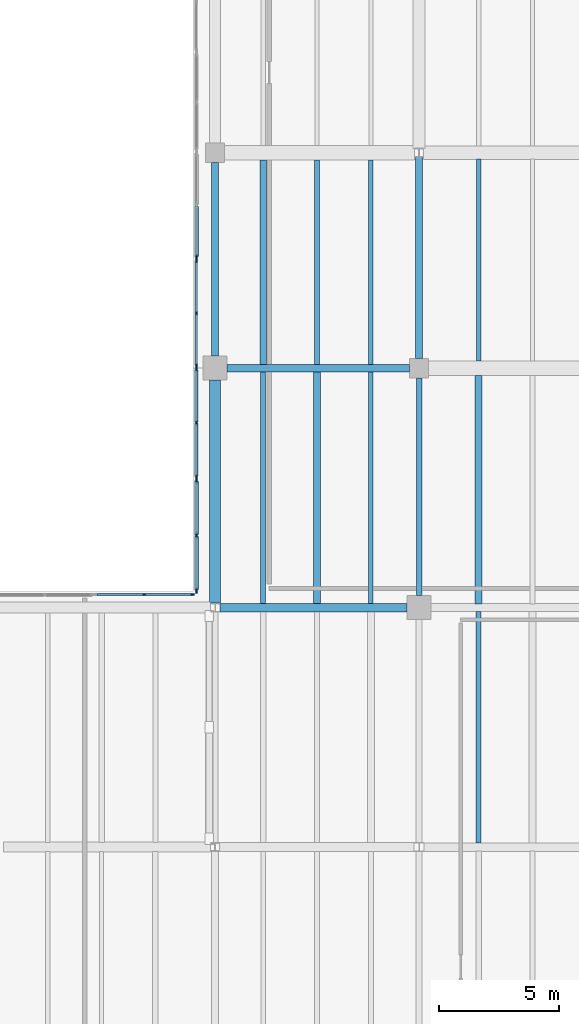
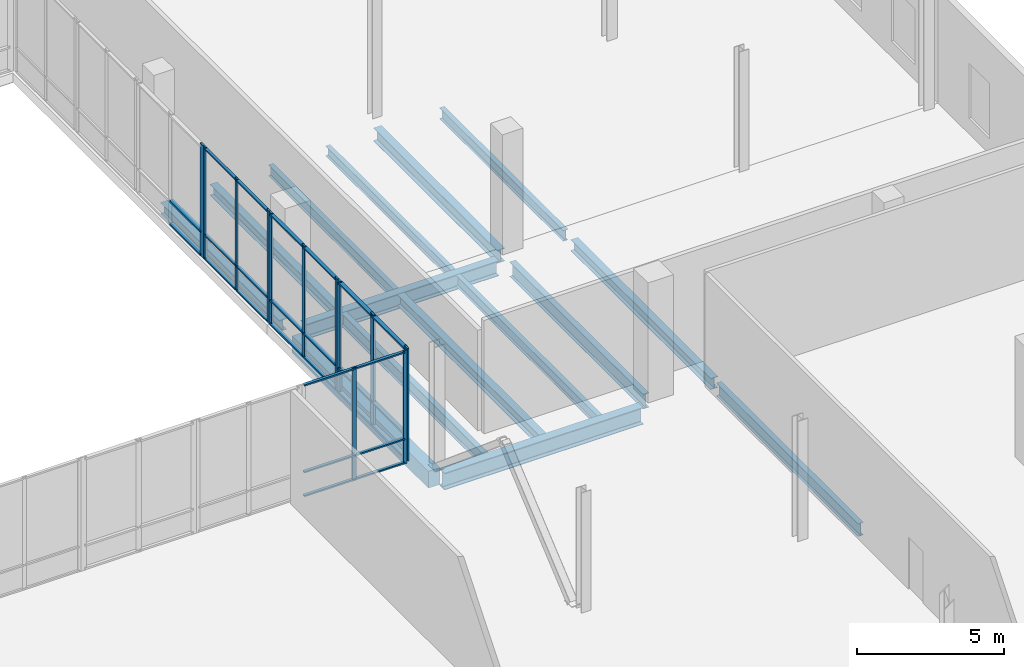
# One storey, part 54 of 88: 38 members, 15 beams, 5 elements without a shape of their own.
"""IFC4 building model written with IfcOpenShell, lengths in metres."""

from ifc_helpers import new_model, si_unit, direction, frame, origin, origin_2d, place, context, subcontext, project, spatial, rectangle, i_section, extrude, material, material_profile, profile_set, type_object, element, aggregate, save


model = new_model("IFC4")

# Units and contexts
model_context = context("Model", 3, precision=1e-05, world=origin(), true_north=direction((0.0, 1.0)))
body_context = subcontext(model_context, "Body", "Model", "MODEL_VIEW")
ifc_project = project(units=[si_unit("LENGTHUNIT", "METRE"), si_unit("AREAUNIT", "SQUARE_METRE"), si_unit("VOLUMEUNIT", "CUBIC_METRE"), si_unit("PLANEANGLEUNIT", "RADIAN"), si_unit("MASSUNIT", "GRAM", prefix="KILO")], contexts=[model_context])

# Site, building, storey
site_placement = place(None, origin())
site = spatial("IfcSite", under=ifc_project, at=site_placement, CompositionType="ELEMENT")
building_placement = place(site_placement, origin())
building = spatial("IfcBuilding", under=site, at=building_placement, Name="Trimount Lyric Opera House", CompositionType="ELEMENT")
storey_placement = place(building_placement, origin())
storey = spatial("IfcBuildingStorey", under=building, at=storey_placement, Name="L00", CompositionType="ELEMENT", Elevation=0.0)

# Beams
ifc_material_1 = material(Name="Steel ASTM A992 Grade 50", Category="steel")
ifc_material_profile_1 = material_profile(ifc_material_1, i_section(OverallWidth=0.35595703125, OverallDepth=0.700927734375, WebThickness=0.016845703125, FlangeThickness=0.02734375, FilletRadius=0.01806640625, at=origin_2d()), Name="W27X161")
ifc_profile_set_1 = profile_set([ifc_material_profile_1], Name="Steel ASTM A992 Grade 50")
beam_type_1 = type_object("IfcBeamType", Name="B-08", PredefinedType="BEAM", material=ifc_profile_set_1)
beam_1_placement = place(storey_placement, frame((148.439453125, 74.0, -0.73046875), z_axis=(1.0, 0.0, 0.0), x_axis=(0.0, 1.0, 0.0)))
element("IfcBeam", 1, at=beam_1_placement, inside=storey, type_object=beam_type_1, Name="L00 girder X-0157", PredefinedType="BEAM", context=body_context, shape_type="SweptSolid", body=[
    extrude(i_section(OverallWidth=0.35595703125, OverallDepth=0.700927734375, WebThickness=0.016845703125, FlangeThickness=0.02734375, FilletRadius=0.01806640625, at=origin_2d()), origin(), (0.0, 0.0, 1.0), 7.820556640625),
])
ifc_material_2 = material(Name="Steel ASTM A992 Grade 50", Category="steel")
ifc_material_profile_2 = material_profile(ifc_material_2, i_section(OverallWidth=0.327880859375, OverallDepth=0.626953125, WebThickness=0.0166015625, FlangeThickness=0.027587890625, FilletRadius=0.01611328125, at=origin_2d()), Name="W24X146")
ifc_profile_set_2 = profile_set([ifc_material_profile_2], Name="Steel ASTM A992 Grade 50")
beam_type_2 = type_object("IfcBeamType", Name="B-10", PredefinedType="BEAM", material=ifc_profile_set_2)
beam_2_placement = place(storey_placement, frame((148.739990234375, 84.0, -0.693603515625), z_axis=(1.0, 0.0, 0.0), x_axis=(0.0, 1.0, 0.0)))
element("IfcBeam", 2, at=beam_2_placement, inside=storey, type_object=beam_type_2, Name="L00 girder X-0170", PredefinedType="BEAM", context=body_context, shape_type="SweptSolid", body=[
    extrude(i_section(OverallWidth=0.327880859375, OverallDepth=0.626953125, WebThickness=0.0166015625, FlangeThickness=0.027587890625, FilletRadius=0.01611328125, at=origin_2d()), origin(), (0.0, 0.0, 1.0), 7.6201171875),
])
ifc_material_3 = material(Name="Steel ASTM A992 Grade 50", Category="steel")
ifc_material_profile_3 = material_profile(ifc_material_3, i_section(OverallWidth=0.22998046875, OverallDepth=0.616943359375, WebThickness=0.01318359375, FlangeThickness=0.022216796875, FilletRadius=0.013916015625, at=origin_2d()), Name="W24X94")
ifc_profile_set_3 = profile_set([ifc_material_profile_3], Name="Steel ASTM A992 Grade 50")
beam_type_3 = type_object("IfcBeamType", Name="B-11", PredefinedType="BEAM", material=ifc_profile_set_3)
beam_3_placement = place(storey_placement, frame((156.760009765625, 74.5, -0.6884765625), z_axis=(0.0, 1.0, 0.0), x_axis=(-1.0, 0.0, 0.0)))
element("IfcBeam", 3, at=beam_3_placement, inside=storey, type_object=beam_type_3, Name="L00 girder Y-0434", PredefinedType="BEAM", context=body_context, shape_type="SweptSolid", body=[
    extrude(i_section(OverallWidth=0.22998046875, OverallDepth=0.616943359375, WebThickness=0.01318359375, FlangeThickness=0.022216796875, FilletRadius=0.013916015625, at=origin_2d()), origin(), (0.0, 0.0, 1.0), 9.10009765625),
])
ifc_material_4 = material(Name="Steel ASTM A992 Grade 50", Category="steel")
ifc_material_profile_4 = material_profile(ifc_material_4, i_section(OverallWidth=0.31201171875, OverallDepth=0.5458984375, WebThickness=0.013916015625, FlangeThickness=0.022216796875, FilletRadius=0.014892578125, at=origin_2d()), Name="W21X111")
ifc_profile_set_4 = profile_set([ifc_material_profile_4], Name="Steel ASTM A992 Grade 50")
beam_type_4 = type_object("IfcBeamType", Name="B-12", PredefinedType="BEAM", material=ifc_profile_set_4)
beam_4_placement = place(storey_placement, frame((156.760009765625, 84.39990234375, -0.653076171875), z_axis=(0.0, 1.0, 0.0), x_axis=(-1.0, 0.0, 0.0)))
element("IfcBeam", 4, at=beam_4_placement, inside=storey, type_object=beam_type_4, Name="L00 girder Y-0435", PredefinedType="BEAM", context=body_context, shape_type="SweptSolid", body=[
    extrude(i_section(OverallWidth=0.31201171875, OverallDepth=0.5458984375, WebThickness=0.013916015625, FlangeThickness=0.022216796875, FilletRadius=0.014892578125, at=origin_2d()), origin(), (0.0, 0.0, 1.0), 8.416015625),
])
ifc_material_5 = material(Name="Steel ASTM A992 Grade 50", Category="steel")
ifc_material_profile_5 = material_profile(ifc_material_5, i_section(OverallWidth=0.2099609375, OverallDepth=0.532958984375, WebThickness=0.01025390625, FlangeThickness=0.015625, FilletRadius=0.012939453125, at=origin_2d()), Name="W21X62")
ifc_profile_set_5 = profile_set([ifc_material_profile_5], Name="Steel ASTM A992 Grade 50")
beam_type_5 = type_object("IfcBeamType", Name="J-02", PredefinedType="BEAM", material=ifc_profile_set_5)
for number, where, z_axis, x_axis, name in (
    (5, (150.25, 74.174072265625, -0.646484375), (0.0, 1.0, 0.0), (-1.0, 0.0, 0.0), "L00 composite floor joist 0479"),
    (6, (159.25, 64.174072265625, -0.646484375), (0.0, 1.0, 0.0), (-1.0, 0.0, 0.0), "L00 composite floor joist 0515"),
):
    element("IfcBeam", number, at=place(storey_placement, frame(where, z_axis=z_axis, x_axis=x_axis)), inside=storey, type_object=beam_type_5, Name=name, PredefinedType="BEAM", context=body_context, shape_type="SweptSolid", body=[
        extrude(i_section(OverallWidth=0.2099609375, OverallDepth=0.532958984375, WebThickness=0.01025390625, FlangeThickness=0.015625, FilletRadius=0.012939453125, at=origin_2d()), origin(), (0.0, 0.0, 1.0), 9.666015625),
    ])
ifc_material_6 = material(Name="Steel ASTM A992 Grade 50", Category="steel")
ifc_material_profile_6 = material_profile(ifc_material_6, i_section(OverallWidth=0.281982421875, OverallDepth=0.467041015625, WebThickness=0.01220703125, FlangeThickness=0.01953125, FilletRadius=0.012939453125, at=origin_2d()), Name="W18X86")
ifc_profile_set_6 = profile_set([ifc_material_profile_6], Name="Steel ASTM A992 Grade 50")
beam_type_6 = type_object("IfcBeamType", Name="J-03", PredefinedType="BEAM", material=ifc_profile_set_6)
beam_5_placement = place(storey_placement, frame((152.5, 74.174072265625, -0.613525390625), z_axis=(0.0, 1.0, 0.0), x_axis=(-1.0, 0.0, 0.0)))
element("IfcBeam", 7, at=beam_5_placement, inside=storey, type_object=beam_type_6, Name="L00 composite floor joist 0480", PredefinedType="BEAM", context=body_context, shape_type="SweptSolid", body=[
    extrude(i_section(OverallWidth=0.281982421875, OverallDepth=0.467041015625, WebThickness=0.01220703125, FlangeThickness=0.01953125, FilletRadius=0.012939453125, at=origin_2d()), origin(), (0.0, 0.0, 1.0), 9.666015625),
])
beam_6_placement = place(storey_placement, frame((150.25, 84.159912109375, -0.613525390625), z_axis=(0.0, 1.0, 0.0), x_axis=(-1.0, 0.0, 0.0)))
element("IfcBeam", 8, at=beam_6_placement, inside=storey, type_object=beam_type_6, Name="L00 composite floor joist 0482", PredefinedType="BEAM", context=body_context, shape_type="SweptSolid", body=[
    extrude(i_section(OverallWidth=0.281982421875, OverallDepth=0.467041015625, WebThickness=0.01220703125, FlangeThickness=0.01953125, FilletRadius=0.012939453125, at=origin_2d()), origin(), (0.0, 0.0, 1.0), 8.544189453125),
])
beam_7_placement = place(storey_placement, frame((159.25, 74.159912109375, -0.613525390625), z_axis=(0.0, 1.0, 0.0), x_axis=(-1.0, 0.0, 0.0)))
element("IfcBeam", 9, at=beam_7_placement, inside=storey, type_object=beam_type_6, Name="L00 composite floor joist 0518", PredefinedType="BEAM", context=body_context, shape_type="SweptSolid", body=[
    extrude(i_section(OverallWidth=0.281982421875, OverallDepth=0.467041015625, WebThickness=0.01220703125, FlangeThickness=0.01953125, FilletRadius=0.012939453125, at=origin_2d()), origin(), (0.0, 0.0, 1.0), 9.544189453125),
])
ifc_material_7 = material(Name="Steel ASTM A992 Grade 50", Category="steel")
ifc_material_profile_7 = material_profile(ifc_material_7, i_section(OverallWidth=0.19091796875, OverallDepth=0.45703125, WebThickness=0.009033203125, FlangeThickness=0.014404296875, FilletRadius=0.010986328125, at=origin_2d()), Name="W18X50")
ifc_profile_set_7 = profile_set([ifc_material_profile_7], Name="Steel ASTM A992 Grade 50")
beam_type_7 = type_object("IfcBeamType", Name="J-04", PredefinedType="BEAM", material=ifc_profile_set_7)
beam_8_placement = place(storey_placement, frame((154.75, 74.174072265625, -0.6083984375), z_axis=(0.0, 1.0, 0.0), x_axis=(-1.0, 0.0, 0.0)))
element("IfcBeam", 10, at=beam_8_placement, inside=storey, type_object=beam_type_7, Name="L00 composite floor joist 0481", PredefinedType="BEAM", context=body_context, shape_type="SweptSolid", body=[
    extrude(i_section(OverallWidth=0.19091796875, OverallDepth=0.45703125, WebThickness=0.009033203125, FlangeThickness=0.014404296875, FilletRadius=0.010986328125, at=origin_2d()), origin(), (0.0, 0.0, 1.0), 9.666015625),
])
beam_9_placement = place(storey_placement, frame((152.5, 84.159912109375, -0.6083984375), z_axis=(0.0, 1.0, 0.0), x_axis=(-1.0, 0.0, 0.0)))
element("IfcBeam", 11, at=beam_9_placement, inside=storey, type_object=beam_type_7, Name="L00 composite floor joist 0483", PredefinedType="BEAM", context=body_context, shape_type="SweptSolid", body=[
    extrude(i_section(OverallWidth=0.19091796875, OverallDepth=0.45703125, WebThickness=0.009033203125, FlangeThickness=0.014404296875, FilletRadius=0.010986328125, at=origin_2d()), origin(), (0.0, 0.0, 1.0), 8.544189453125),
])
beam_10_placement = place(storey_placement, frame((159.25, 84.2958984375, -0.6083984375), z_axis=(0.0, 1.0, 0.0), x_axis=(-1.0, 0.0, 0.0)))
element("IfcBeam", 12, at=beam_10_placement, inside=storey, type_object=beam_type_7, Name="L00 composite floor joist 0521", PredefinedType="BEAM", context=body_context, shape_type="SweptSolid", body=[
    extrude(i_section(OverallWidth=0.19091796875, OverallDepth=0.45703125, WebThickness=0.009033203125, FlangeThickness=0.014404296875, FilletRadius=0.010986328125, at=origin_2d()), origin(), (0.0, 0.0, 1.0), 8.43310546875),
])
ifc_material_8 = material(Name="Steel ASTM A992 Grade 50", Category="steel")
ifc_material_profile_8 = material_profile(ifc_material_8, i_section(OverallWidth=0.180908203125, OverallDepth=0.4169921875, WebThickness=0.010986328125, FlangeThickness=0.018310546875, FilletRadius=0.010986328125, at=origin_2d()), Name="W16X57")
ifc_profile_set_8 = profile_set([ifc_material_profile_8], Name="Steel ASTM A992 Grade 50")
beam_type_8 = type_object("IfcBeamType", Name="J-05", PredefinedType="BEAM", material=ifc_profile_set_8)
beam_11_placement = place(storey_placement, frame((154.75, 84.159912109375, -0.58837890625), z_axis=(0.0, 1.0, 0.0), x_axis=(-1.0, 0.0, 0.0)))
element("IfcBeam", 13, at=beam_11_placement, inside=storey, type_object=beam_type_8, Name="L00 composite floor joist 0484", PredefinedType="BEAM", context=body_context, shape_type="SweptSolid", body=[
    extrude(i_section(OverallWidth=0.180908203125, OverallDepth=0.4169921875, WebThickness=0.010986328125, FlangeThickness=0.018310546875, FilletRadius=0.010986328125, at=origin_2d()), origin(), (0.0, 0.0, 1.0), 8.544189453125),
])

# Curtain wall, members
ifc_material_9 = material(Name="Thermally Broken Aluminium and Low-E Glass", Category="aluminium")
curtain_wall_type = type_object("IfcCurtainWallType", Name="CW-03", PredefinedType="NOTDEFINED", material=ifc_material_9)
curtain_wall_1_placement = place(storey_placement, origin())
curtain_wall_1 = element("IfcCurtainWall", 14, at=curtain_wall_1_placement, inside=storey, type_object=curtain_wall_type, Name="L00 curtain wall 042", PredefinedType="NOTDEFINED")
ifc_material_10 = material(Name="Anodised Aluminium 6063-T6", Category="aluminium")
ifc_material_profile_9 = material_profile(ifc_material_10, rectangle(XDim=0.070068359375, YDim=0.219970703125, at=origin_2d()), Name="ALU-MULL-70X220")
ifc_profile_set_9 = profile_set([ifc_material_profile_9], Name="Anodised Aluminium 6063-T6")
member_type_1 = type_object("IfcMemberType", Name="ML-01", PredefinedType="MULLION", material=ifc_profile_set_9)
member_1_placement = place(storey_placement, frame((147.4599609375, 74.715087890625, 0.0), z_axis=(0.0, 0.0, 1.0), x_axis=(-1.0, 0.0, 0.0)))
member_1 = element("IfcMember", 15, at=member_1_placement, type_object=member_type_1, Name="CW-03 mullion 1", PredefinedType="MULLION", context=body_context, shape_type="SweptSolid", body=[
    extrude(rectangle(XDim=0.070068359375, YDim=0.219970703125, at=origin_2d()), origin(), (0.0, 0.0, 1.0), 4.68994140625),
])
member_2_placement = place(storey_placement, frame((147.4599609375, 77.010009765625, 0.0), z_axis=(0.0, 0.0, 1.0), x_axis=(-1.0, 0.0, 0.0)))
member_2 = element("IfcMember", 16, at=member_2_placement, type_object=member_type_1, Name="CW-03 mullion 2", PredefinedType="MULLION", context=body_context, shape_type="SweptSolid", body=[
    extrude(rectangle(XDim=0.070068359375, YDim=0.219970703125, at=origin_2d()), origin(), (0.0, 0.0, 1.0), 4.68994140625),
])
member_3_placement = place(storey_placement, frame((147.4599609375, 79.304931640625, 0.0), z_axis=(0.0, 0.0, 1.0), x_axis=(-1.0, 0.0, 0.0)))
member_3 = element("IfcMember", 17, at=member_3_placement, type_object=member_type_1, Name="CW-03 mullion 3", PredefinedType="MULLION", context=body_context, shape_type="SweptSolid", body=[
    extrude(rectangle(XDim=0.070068359375, YDim=0.219970703125, at=origin_2d()), origin(), (0.0, 0.0, 1.0), 4.68994140625),
])

# Curtain wall, member
curtain_wall_2_placement = place(storey_placement, origin())
curtain_wall_2 = element("IfcCurtainWall", 18, at=curtain_wall_2_placement, inside=storey, type_object=curtain_wall_type, Name="L00 curtain wall 045", PredefinedType="NOTDEFINED")
member_4_placement = place(storey_placement, frame((147.4599609375, 88.625, 0.0), z_axis=(0.0, 0.0, 1.0), x_axis=(-1.0, 0.0, 0.0)))
member_4 = element("IfcMember", 19, at=member_4_placement, type_object=member_type_1, Name="CW-03 mullion 1", PredefinedType="MULLION", context=body_context, shape_type="SweptSolid", body=[
    extrude(rectangle(XDim=0.070068359375, YDim=0.219970703125, at=origin_2d()), origin(), (0.0, 0.0, 1.0), 4.68994140625),
])

# Curtain wall, members
curtain_wall_3_placement = place(storey_placement, origin())
curtain_wall_3 = element("IfcCurtainWall", 20, at=curtain_wall_3_placement, inside=storey, type_object=curtain_wall_type, Name="L00 curtain wall 043", PredefinedType="NOTDEFINED")
ifc_material_11 = material(Name="Anodised Aluminium 6063-T6", Category="aluminium")
ifc_material_profile_10 = material_profile(ifc_material_11, rectangle(XDim=0.06494140625, YDim=0.179931640625, at=origin_2d()), Name="ALU-MULL-65X180")
ifc_profile_set_10 = profile_set([ifc_material_profile_10], Name="Anodised Aluminium 6063-T6")
member_type_2 = type_object("IfcMemberType", Name="ML-02", PredefinedType="MULLION", material=ifc_profile_set_10)
member_5_placement = place(storey_placement, frame((147.4599609375, 79.46240234375, 0.0), z_axis=(0.0, 0.0, 1.0), x_axis=(-1.0, 0.0, 0.0)))
member_5 = element("IfcMember", 21, at=member_5_placement, type_object=member_type_2, Name="CW-03 mullion 1", PredefinedType="MULLION", context=body_context, shape_type="SweptSolid", body=[
    extrude(rectangle(XDim=0.06494140625, YDim=0.179931640625, at=origin_2d()), origin(), (0.0, 0.0, 1.0), 4.68994140625),
])
member_6_placement = place(storey_placement, frame((147.4599609375, 81.715087890625, 0.0), z_axis=(0.0, 0.0, 1.0), x_axis=(-1.0, 0.0, 0.0)))
member_6 = element("IfcMember", 22, at=member_6_placement, type_object=member_type_2, Name="CW-03 mullion 2", PredefinedType="MULLION", context=body_context, shape_type="SweptSolid", body=[
    extrude(rectangle(XDim=0.06494140625, YDim=0.179931640625, at=origin_2d()), origin(), (0.0, 0.0, 1.0), 4.68994140625),
])
member_7_placement = place(storey_placement, frame((147.4599609375, 83.967529296875, 0.0), z_axis=(0.0, 0.0, 1.0), x_axis=(-1.0, 0.0, 0.0)))
member_7 = element("IfcMember", 23, at=member_7_placement, type_object=member_type_2, Name="CW-03 mullion 3", PredefinedType="MULLION", context=body_context, shape_type="SweptSolid", body=[
    extrude(rectangle(XDim=0.06494140625, YDim=0.179931640625, at=origin_2d()), origin(), (0.0, 0.0, 1.0), 4.68994140625),
])

curtain_wall_4_placement = place(storey_placement, origin())
curtain_wall_4 = element("IfcCurtainWall", 24, at=curtain_wall_4_placement, inside=storey, type_object=curtain_wall_type, Name="L00 curtain wall 041", PredefinedType="NOTDEFINED")
ifc_material_12 = material(Name="Anodised Aluminium 6063-T6", Category="aluminium")
ifc_material_profile_11 = material_profile(ifc_material_12, rectangle(XDim=0.06005859375, YDim=0.14990234375, at=origin_2d()), Name="ALU-MULL-60X150")
ifc_profile_set_11 = profile_set([ifc_material_profile_11], Name="Anodised Aluminium 6063-T6")
member_type_3 = type_object("IfcMemberType", Name="ML-03", PredefinedType="MULLION", material=ifc_profile_set_11)
member_8_placement = place(storey_placement, frame((145.284912109375, 74.5400390625, 0.0), z_axis=(0.0, 0.0, 1.0), x_axis=(0.0, 1.0, 0.0)))
member_8 = element("IfcMember", 25, at=member_8_placement, type_object=member_type_3, Name="CW-03 mullion 2", PredefinedType="MULLION", context=body_context, shape_type="SweptSolid", body=[
    extrude(rectangle(XDim=0.06005859375, YDim=0.14990234375, at=origin_2d()), origin(), (0.0, 0.0, 1.0), 4.719970703125),
])
member_9_placement = place(storey_placement, frame((147.2900390625, 74.5400390625, 0.0), z_axis=(0.0, 0.0, 1.0), x_axis=(0.0, 1.0, 0.0)))
member_9 = element("IfcMember", 26, at=member_9_placement, type_object=member_type_3, Name="CW-03 mullion 3", PredefinedType="MULLION", context=body_context, shape_type="SweptSolid", body=[
    extrude(rectangle(XDim=0.06005859375, YDim=0.14990234375, at=origin_2d()), origin(), (0.0, 0.0, 1.0), 4.719970703125),
])

curtain_wall_5_placement = place(storey_placement, origin())
curtain_wall_5 = element("IfcCurtainWall", 27, at=curtain_wall_5_placement, inside=storey, type_object=curtain_wall_type, Name="L00 curtain wall 044", PredefinedType="NOTDEFINED")
member_10_placement = place(storey_placement, frame((147.4599609375, 84.1201171875, 0.0), z_axis=(0.0, 0.0, 1.0), x_axis=(-1.0, 0.0, 0.0)))
member_10 = element("IfcMember", 28, at=member_10_placement, type_object=member_type_3, Name="CW-03 mullion 1", PredefinedType="MULLION", context=body_context, shape_type="SweptSolid", body=[
    extrude(rectangle(XDim=0.06005859375, YDim=0.14990234375, at=origin_2d()), origin(), (0.0, 0.0, 1.0), 4.68994140625),
])
member_11_placement = place(storey_placement, frame((147.4599609375, 86.294921875, 0.0), z_axis=(0.0, 0.0, 1.0), x_axis=(-1.0, 0.0, 0.0)))
member_11 = element("IfcMember", 29, at=member_11_placement, type_object=member_type_3, Name="CW-03 mullion 2", PredefinedType="MULLION", context=body_context, shape_type="SweptSolid", body=[
    extrude(rectangle(XDim=0.06005859375, YDim=0.14990234375, at=origin_2d()), origin(), (0.0, 0.0, 1.0), 4.68994140625),
])
member_12_placement = place(storey_placement, frame((147.4599609375, 88.469970703125, 0.0), z_axis=(0.0, 0.0, 1.0), x_axis=(-1.0, 0.0, 0.0)))
member_12 = element("IfcMember", 30, at=member_12_placement, type_object=member_type_3, Name="CW-03 mullion 3", PredefinedType="MULLION", context=body_context, shape_type="SweptSolid", body=[
    extrude(rectangle(XDim=0.06005859375, YDim=0.14990234375, at=origin_2d()), origin(), (0.0, 0.0, 1.0), 4.68994140625),
])

# Beams
ifc_material_13 = material(Name="Steel ASTM A992 Grade 50", Category="steel")
ifc_material_profile_12 = material_profile(ifc_material_13, i_section(OverallWidth=0.281982421875, OverallDepth=0.467041015625, WebThickness=0.01220703125, FlangeThickness=0.01953125, FilletRadius=0.012939453125, at=origin_2d()), Name="W18X86")
ifc_profile_set_12 = profile_set([ifc_material_profile_12], Name="Steel ASTM A992 Grade 50")
beam_type_9 = type_object("IfcBeamType", Name="SP-01", PredefinedType="SPANDREL", material=ifc_profile_set_12)
beam_12_placement = place(storey_placement, frame((148.239990234375, 84.5, -0.613525390625), z_axis=(0.0, 1.0, 0.0), x_axis=(-1.0, 0.0, 0.0)))
element("IfcBeam", 31, at=beam_12_placement, inside=storey, type_object=beam_type_9, Name="L00 girder Y-0423", PredefinedType="SPANDREL", context=body_context, shape_type="SweptSolid", body=[
    extrude(i_section(OverallWidth=0.281982421875, OverallDepth=0.467041015625, WebThickness=0.01220703125, FlangeThickness=0.01953125, FilletRadius=0.012939453125, at=origin_2d()), origin(), (0.0, 0.0, 1.0), 8.10009765625),
])
ifc_material_14 = material(Name="Concrete C40/50", Category="concrete")
ifc_material_profile_13 = material_profile(ifc_material_14, rectangle(XDim=0.449951171875, YDim=0.699951171875, at=origin_2d()), Name="RC450X700")
ifc_profile_set_13 = profile_set([ifc_material_profile_13], Name="Concrete C40/50")
beam_type_10 = type_object("IfcBeamType", Name="SP-02", PredefinedType="SPANDREL", material=ifc_profile_set_13)
beam_13_placement = place(storey_placement, frame((148.239990234375, 74.193115234375, -0.72998046875), z_axis=(0.0, 1.0, 0.0), x_axis=(-1.0, 0.0, 0.0)))
element("IfcBeam", 32, at=beam_13_placement, inside=storey, type_object=beam_type_10, Name="L00 girder Y-0422", PredefinedType="SPANDREL", context=body_context, shape_type="SweptSolid", body=[
    extrude(rectangle(XDim=0.449951171875, YDim=0.699951171875, at=origin_2d()), origin(), (0.0, 0.0, 1.0), 9.306884765625),
])

# Member
ifc_material_15 = material(Name="Anodised Aluminium 6063-T6", Category="aluminium")
ifc_material_profile_14 = material_profile(ifc_material_15, rectangle(XDim=0.159912109375, YDim=0.070068359375, at=origin_2d()), Name="ALU-TRAN-70X160")
ifc_profile_set_14 = profile_set([ifc_material_profile_14], Name="Anodised Aluminium 6063-T6")
member_type_4 = type_object("IfcMemberType", Name="TR-01", PredefinedType="USERDEFINED", material=ifc_profile_set_14)
member_13_placement = place(storey_placement, frame((147.4599609375, 74.75, 0.080078125), z_axis=(0.0, 1.0, 0.0), x_axis=(-1.0, 0.0, 0.0)))
member_13 = element("IfcMember", 33, at=member_13_placement, type_object=member_type_4, Name="CW-03 transom 1.1", ObjectType="TRANSOM", PredefinedType="USERDEFINED", context=body_context, shape_type="SweptSolid", body=[
    extrude(rectangle(XDim=0.159912109375, YDim=0.070068359375, at=origin_2d()), origin(), (0.0, 0.0, 1.0), 2.22509765625),
])

member_14_placement = place(storey_placement, frame((147.4599609375, 74.75, 1.050048828125), z_axis=(0.0, 1.0, 0.0), x_axis=(-1.0, 0.0, 0.0)))
member_14 = element("IfcMember", 34, at=member_14_placement, type_object=member_type_4, Name="CW-03 transom 1.2", ObjectType="TRANSOM", PredefinedType="USERDEFINED", context=body_context, shape_type="SweptSolid", body=[
    extrude(rectangle(XDim=0.159912109375, YDim=0.070068359375, at=origin_2d()), origin(), (0.0, 0.0, 1.0), 2.22509765625),
])

member_15_placement = place(storey_placement, frame((147.4599609375, 74.75, 4.610107421875), z_axis=(0.0, 1.0, 0.0), x_axis=(-1.0, 0.0, 0.0)))
member_15 = element("IfcMember", 35, at=member_15_placement, type_object=member_type_4, Name="CW-03 transom 1.3", ObjectType="TRANSOM", PredefinedType="USERDEFINED", context=body_context, shape_type="SweptSolid", body=[
    extrude(rectangle(XDim=0.159912109375, YDim=0.070068359375, at=origin_2d()), origin(), (0.0, 0.0, 1.0), 2.22509765625),
])

member_16_placement = place(storey_placement, frame((147.4599609375, 77.044921875, 0.080078125), z_axis=(0.0, 1.0, 0.0), x_axis=(-1.0, 0.0, 0.0)))
member_16 = element("IfcMember", 36, at=member_16_placement, type_object=member_type_4, Name="CW-03 transom 2.1", ObjectType="TRANSOM", PredefinedType="USERDEFINED", context=body_context, shape_type="SweptSolid", body=[
    extrude(rectangle(XDim=0.159912109375, YDim=0.070068359375, at=origin_2d()), origin(), (0.0, 0.0, 1.0), 2.22509765625),
])

member_17_placement = place(storey_placement, frame((147.4599609375, 77.044921875, 1.050048828125), z_axis=(0.0, 1.0, 0.0), x_axis=(-1.0, 0.0, 0.0)))
member_17 = element("IfcMember", 37, at=member_17_placement, type_object=member_type_4, Name="CW-03 transom 2.2", ObjectType="TRANSOM", PredefinedType="USERDEFINED", context=body_context, shape_type="SweptSolid", body=[
    extrude(rectangle(XDim=0.159912109375, YDim=0.070068359375, at=origin_2d()), origin(), (0.0, 0.0, 1.0), 2.22509765625),
])

member_18_placement = place(storey_placement, frame((147.4599609375, 77.044921875, 4.610107421875), z_axis=(0.0, 1.0, 0.0), x_axis=(-1.0, 0.0, 0.0)))
member_18 = element("IfcMember", 38, at=member_18_placement, type_object=member_type_4, Name="CW-03 transom 2.3", ObjectType="TRANSOM", PredefinedType="USERDEFINED", context=body_context, shape_type="SweptSolid", body=[
    extrude(rectangle(XDim=0.159912109375, YDim=0.070068359375, at=origin_2d()), origin(), (0.0, 0.0, 1.0), 2.22509765625),
])

aggregate(curtain_wall_1, [member_1, member_2, member_3, member_13, member_14, member_15, member_16, member_17, member_18])

member_19_placement = place(storey_placement, frame((147.4599609375, 88.659912109375, 0.080078125), z_axis=(0.0, 1.0, 0.0), x_axis=(-1.0, 0.0, 0.0)))
member_19 = element("IfcMember", 39, at=member_19_placement, type_object=member_type_4, Name="CW-03 transom 1.1", ObjectType="TRANSOM", PredefinedType="USERDEFINED", context=body_context, shape_type="SweptSolid", body=[
    extrude(rectangle(XDim=0.159912109375, YDim=0.070068359375, at=origin_2d()), origin(), (0.0, 0.0, 1.0), 2.10009765625),
])

member_20_placement = place(storey_placement, frame((147.4599609375, 88.659912109375, 1.050048828125), z_axis=(0.0, 1.0, 0.0), x_axis=(-1.0, 0.0, 0.0)))
member_20 = element("IfcMember", 40, at=member_20_placement, type_object=member_type_4, Name="CW-03 transom 1.2", ObjectType="TRANSOM", PredefinedType="USERDEFINED", context=body_context, shape_type="SweptSolid", body=[
    extrude(rectangle(XDim=0.159912109375, YDim=0.070068359375, at=origin_2d()), origin(), (0.0, 0.0, 1.0), 2.10009765625),
])

aggregate(curtain_wall_2, [member_4, member_19, member_20])

ifc_material_16 = material(Name="Anodised Aluminium 6063-T6", Category="aluminium")
ifc_material_profile_15 = material_profile(ifc_material_16, rectangle(XDim=0.135009765625, YDim=0.06494140625, at=origin_2d()), Name="ALU-TRAN-65X135")
ifc_profile_set_15 = profile_set([ifc_material_profile_15], Name="Anodised Aluminium 6063-T6")
member_type_5 = type_object("IfcMemberType", Name="TR-02", PredefinedType="USERDEFINED", material=ifc_profile_set_15)
member_21_placement = place(storey_placement, frame((147.4599609375, 79.4951171875, 0.0673828125), z_axis=(0.0, 1.0, 0.0), x_axis=(-1.0, 0.0, 0.0)))
member_21 = element("IfcMember", 41, at=member_21_placement, type_object=member_type_5, Name="CW-03 transom 1.1", ObjectType="TRANSOM", PredefinedType="USERDEFINED", context=body_context, shape_type="SweptSolid", body=[
    extrude(rectangle(XDim=0.135009765625, YDim=0.06494140625, at=origin_2d()), origin(), (0.0, 0.0, 1.0), 2.1875),
])

member_22_placement = place(storey_placement, frame((147.4599609375, 79.4951171875, 1.050048828125), z_axis=(0.0, 1.0, 0.0), x_axis=(-1.0, 0.0, 0.0)))
member_22 = element("IfcMember", 42, at=member_22_placement, type_object=member_type_5, Name="CW-03 transom 1.2", ObjectType="TRANSOM", PredefinedType="USERDEFINED", context=body_context, shape_type="SweptSolid", body=[
    extrude(rectangle(XDim=0.135009765625, YDim=0.06494140625, at=origin_2d()), origin(), (0.0, 0.0, 1.0), 2.1875),
])

member_23_placement = place(storey_placement, frame((147.4599609375, 79.4951171875, 4.62255859375), z_axis=(0.0, 1.0, 0.0), x_axis=(-1.0, 0.0, 0.0)))
member_23 = element("IfcMember", 43, at=member_23_placement, type_object=member_type_5, Name="CW-03 transom 1.3", ObjectType="TRANSOM", PredefinedType="USERDEFINED", context=body_context, shape_type="SweptSolid", body=[
    extrude(rectangle(XDim=0.135009765625, YDim=0.06494140625, at=origin_2d()), origin(), (0.0, 0.0, 1.0), 2.1875),
])

member_24_placement = place(storey_placement, frame((147.4599609375, 81.74755859375, 0.0673828125), z_axis=(0.0, 1.0, 0.0), x_axis=(-1.0, 0.0, 0.0)))
member_24 = element("IfcMember", 44, at=member_24_placement, type_object=member_type_5, Name="CW-03 transom 2.1", ObjectType="TRANSOM", PredefinedType="USERDEFINED", context=body_context, shape_type="SweptSolid", body=[
    extrude(rectangle(XDim=0.135009765625, YDim=0.06494140625, at=origin_2d()), origin(), (0.0, 0.0, 1.0), 2.1875),
])

member_25_placement = place(storey_placement, frame((147.4599609375, 81.74755859375, 1.050048828125), z_axis=(0.0, 1.0, 0.0), x_axis=(-1.0, 0.0, 0.0)))
member_25 = element("IfcMember", 45, at=member_25_placement, type_object=member_type_5, Name="CW-03 transom 2.2", ObjectType="TRANSOM", PredefinedType="USERDEFINED", context=body_context, shape_type="SweptSolid", body=[
    extrude(rectangle(XDim=0.135009765625, YDim=0.06494140625, at=origin_2d()), origin(), (0.0, 0.0, 1.0), 2.1875),
])

member_26_placement = place(storey_placement, frame((147.4599609375, 81.74755859375, 4.62255859375), z_axis=(0.0, 1.0, 0.0), x_axis=(-1.0, 0.0, 0.0)))
member_26 = element("IfcMember", 46, at=member_26_placement, type_object=member_type_5, Name="CW-03 transom 2.3", ObjectType="TRANSOM", PredefinedType="USERDEFINED", context=body_context, shape_type="SweptSolid", body=[
    extrude(rectangle(XDim=0.135009765625, YDim=0.06494140625, at=origin_2d()), origin(), (0.0, 0.0, 1.0), 2.1875),
])

aggregate(curtain_wall_3, [member_5, member_6, member_7, member_21, member_22, member_23, member_24, member_25, member_26])

ifc_material_17 = material(Name="Anodised Aluminium 6063-T6", Category="aluminium")
ifc_material_profile_16 = material_profile(ifc_material_17, rectangle(XDim=0.114990234375, YDim=0.06005859375, at=origin_2d()), Name="ALU-TRAN-60X115")
ifc_profile_set_16 = profile_set([ifc_material_profile_16], Name="Anodised Aluminium 6063-T6")
member_type_6 = type_object("IfcMemberType", Name="TR-03", PredefinedType="USERDEFINED", material=ifc_profile_set_16)
member_27_placement = place(storey_placement, frame((143.31005859375, 74.5400390625, 0.0576171875), z_axis=(1.0, 0.0, 0.0), x_axis=(0.0, 1.0, 0.0)))
member_27 = element("IfcMember", 47, at=member_27_placement, type_object=member_type_6, Name="CW-03 transom 1.1", ObjectType="TRANSOM", PredefinedType="USERDEFINED", context=body_context, shape_type="SweptSolid", body=[
    extrude(rectangle(XDim=0.114990234375, YDim=0.06005859375, at=origin_2d()), origin(), (0.0, 0.0, 1.0), 1.94482421875),
])

member_28_placement = place(storey_placement, frame((143.31005859375, 74.5400390625, 1.050048828125), z_axis=(1.0, 0.0, 0.0), x_axis=(0.0, 1.0, 0.0)))
member_28 = element("IfcMember", 48, at=member_28_placement, type_object=member_type_6, Name="CW-03 transom 1.2", ObjectType="TRANSOM", PredefinedType="USERDEFINED", context=body_context, shape_type="SweptSolid", body=[
    extrude(rectangle(XDim=0.114990234375, YDim=0.06005859375, at=origin_2d()), origin(), (0.0, 0.0, 1.0), 1.94482421875),
])

member_29_placement = place(storey_placement, frame((143.31005859375, 74.5400390625, 4.66259765625), z_axis=(1.0, 0.0, 0.0), x_axis=(0.0, 1.0, 0.0)))
member_29 = element("IfcMember", 49, at=member_29_placement, type_object=member_type_6, Name="CW-03 transom 1.3", ObjectType="TRANSOM", PredefinedType="USERDEFINED", context=body_context, shape_type="SweptSolid", body=[
    extrude(rectangle(XDim=0.114990234375, YDim=0.06005859375, at=origin_2d()), origin(), (0.0, 0.0, 1.0), 1.94482421875),
])

member_30_placement = place(storey_placement, frame((145.31494140625, 74.5400390625, 0.0576171875), z_axis=(1.0, 0.0, 0.0), x_axis=(0.0, 1.0, 0.0)))
member_30 = element("IfcMember", 50, at=member_30_placement, type_object=member_type_6, Name="CW-03 transom 2.1", ObjectType="TRANSOM", PredefinedType="USERDEFINED", context=body_context, shape_type="SweptSolid", body=[
    extrude(rectangle(XDim=0.114990234375, YDim=0.06005859375, at=origin_2d()), origin(), (0.0, 0.0, 1.0), 1.945068359375),
])

member_31_placement = place(storey_placement, frame((145.31494140625, 74.5400390625, 1.050048828125), z_axis=(1.0, 0.0, 0.0), x_axis=(0.0, 1.0, 0.0)))
member_31 = element("IfcMember", 51, at=member_31_placement, type_object=member_type_6, Name="CW-03 transom 2.2", ObjectType="TRANSOM", PredefinedType="USERDEFINED", context=body_context, shape_type="SweptSolid", body=[
    extrude(rectangle(XDim=0.114990234375, YDim=0.06005859375, at=origin_2d()), origin(), (0.0, 0.0, 1.0), 1.945068359375),
])

member_32_placement = place(storey_placement, frame((145.31494140625, 74.5400390625, 4.66259765625), z_axis=(1.0, 0.0, 0.0), x_axis=(0.0, 1.0, 0.0)))
member_32 = element("IfcMember", 52, at=member_32_placement, type_object=member_type_6, Name="CW-03 transom 2.3", ObjectType="TRANSOM", PredefinedType="USERDEFINED", context=body_context, shape_type="SweptSolid", body=[
    extrude(rectangle(XDim=0.114990234375, YDim=0.06005859375, at=origin_2d()), origin(), (0.0, 0.0, 1.0), 1.945068359375),
])

aggregate(curtain_wall_4, [member_8, member_9, member_27, member_28, member_29, member_30, member_31, member_32])

member_33_placement = place(storey_placement, frame((147.4599609375, 84.14990234375, 0.0576171875), z_axis=(0.0, 1.0, 0.0), x_axis=(-1.0, 0.0, 0.0)))
member_33 = element("IfcMember", 53, at=member_33_placement, type_object=member_type_6, Name="CW-03 transom 1.1", ObjectType="TRANSOM", PredefinedType="USERDEFINED", context=body_context, shape_type="SweptSolid", body=[
    extrude(rectangle(XDim=0.114990234375, YDim=0.06005859375, at=origin_2d()), origin(), (0.0, 0.0, 1.0), 2.114990234375),
])

member_34_placement = place(storey_placement, frame((147.4599609375, 84.14990234375, 1.050048828125), z_axis=(0.0, 1.0, 0.0), x_axis=(-1.0, 0.0, 0.0)))
member_34 = element("IfcMember", 54, at=member_34_placement, type_object=member_type_6, Name="CW-03 transom 1.2", ObjectType="TRANSOM", PredefinedType="USERDEFINED", context=body_context, shape_type="SweptSolid", body=[
    extrude(rectangle(XDim=0.114990234375, YDim=0.06005859375, at=origin_2d()), origin(), (0.0, 0.0, 1.0), 2.114990234375),
])

member_35_placement = place(storey_placement, frame((147.4599609375, 84.14990234375, 4.632568359375), z_axis=(0.0, 1.0, 0.0), x_axis=(-1.0, 0.0, 0.0)))
member_35 = element("IfcMember", 55, at=member_35_placement, type_object=member_type_6, Name="CW-03 transom 1.3", ObjectType="TRANSOM", PredefinedType="USERDEFINED", context=body_context, shape_type="SweptSolid", body=[
    extrude(rectangle(XDim=0.114990234375, YDim=0.06005859375, at=origin_2d()), origin(), (0.0, 0.0, 1.0), 2.114990234375),
])

member_36_placement = place(storey_placement, frame((147.4599609375, 86.324951171875, 0.0576171875), z_axis=(0.0, 1.0, 0.0), x_axis=(-1.0, 0.0, 0.0)))
member_36 = element("IfcMember", 56, at=member_36_placement, type_object=member_type_6, Name="CW-03 transom 2.1", ObjectType="TRANSOM", PredefinedType="USERDEFINED", context=body_context, shape_type="SweptSolid", body=[
    extrude(rectangle(XDim=0.114990234375, YDim=0.06005859375, at=origin_2d()), origin(), (0.0, 0.0, 1.0), 2.114990234375),
])

member_37_placement = place(storey_placement, frame((147.4599609375, 86.324951171875, 1.050048828125), z_axis=(0.0, 1.0, 0.0), x_axis=(-1.0, 0.0, 0.0)))
member_37 = element("IfcMember", 57, at=member_37_placement, type_object=member_type_6, Name="CW-03 transom 2.2", ObjectType="TRANSOM", PredefinedType="USERDEFINED", context=body_context, shape_type="SweptSolid", body=[
    extrude(rectangle(XDim=0.114990234375, YDim=0.06005859375, at=origin_2d()), origin(), (0.0, 0.0, 1.0), 2.114990234375),
])

member_38_placement = place(storey_placement, frame((147.4599609375, 86.324951171875, 4.632568359375), z_axis=(0.0, 1.0, 0.0), x_axis=(-1.0, 0.0, 0.0)))
member_38 = element("IfcMember", 58, at=member_38_placement, type_object=member_type_6, Name="CW-03 transom 2.3", ObjectType="TRANSOM", PredefinedType="USERDEFINED", context=body_context, shape_type="SweptSolid", body=[
    extrude(rectangle(XDim=0.114990234375, YDim=0.06005859375, at=origin_2d()), origin(), (0.0, 0.0, 1.0), 2.114990234375),
])

aggregate(curtain_wall_5, [member_10, member_11, member_12, member_33, member_34, member_35, member_36, member_37, member_38])

save(model, "model.ifc")
